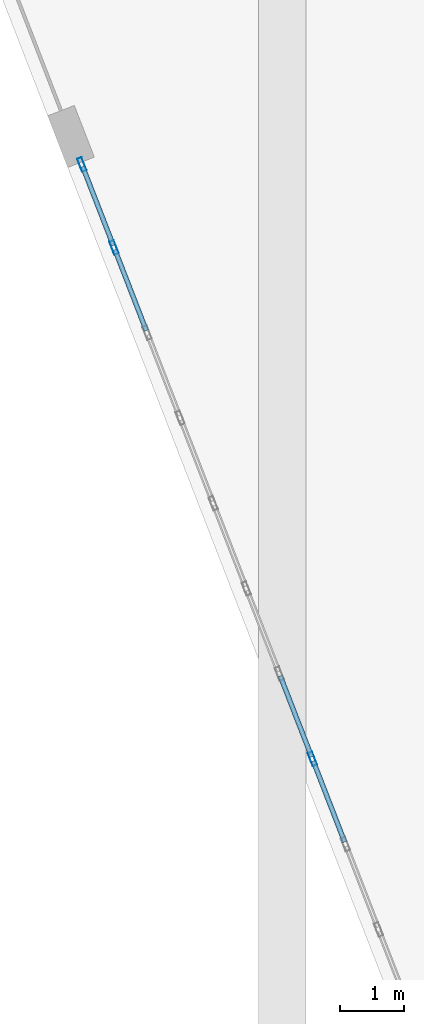
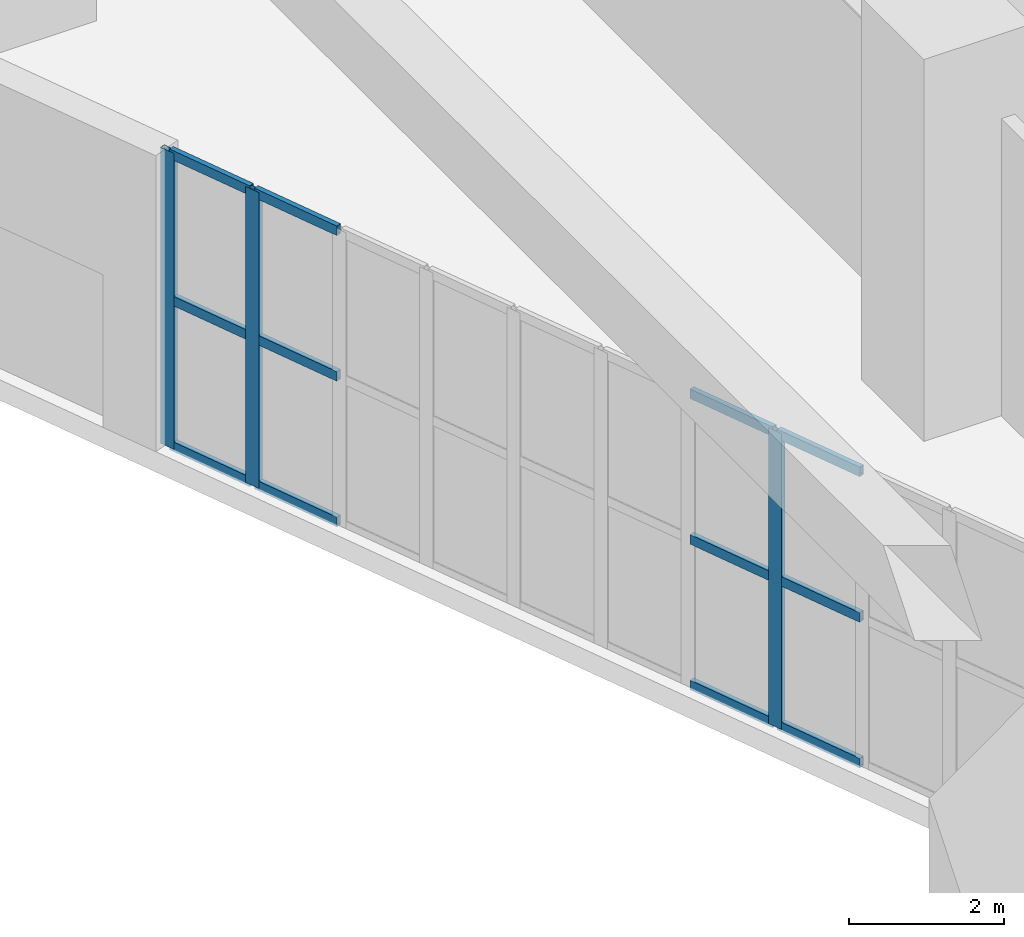
# One storey, part 7 of 35: 15 members, 1 element without a shape of its own.
"""IFC4 building model written with IfcOpenShell, lengths in metres."""

from ifc_helpers import new_model, si_unit, direction, frame, origin, origin_2d, place, context, subcontext, project, spatial, hollow_rectangle, extrude, material, layer, layer_set, material_profile, profile_set, type_object, element, aggregate, save


model = new_model("IFC4")

# Units and contexts
model_context = context("Model", 3, precision=1e-05, world=origin(), true_north=direction((0.0, 1.0)))
body_context = subcontext(model_context, "Body", "Model", "MODEL_VIEW")
ifc_project = project(units=[si_unit("LENGTHUNIT", "METRE"), si_unit("AREAUNIT", "SQUARE_METRE"), si_unit("VOLUMEUNIT", "CUBIC_METRE"), si_unit("PLANEANGLEUNIT", "RADIAN"), si_unit("MASSUNIT", "GRAM", prefix="KILO")], contexts=[model_context])

# Site, building, storey
site_placement = place(None, origin())
site = spatial("IfcSite", under=ifc_project, at=site_placement, CompositionType="ELEMENT")
building_placement = place(site_placement, origin())
building = spatial("IfcBuilding", under=site, at=building_placement, Name="Kilnhurst Terrace Hotel", CompositionType="ELEMENT")
storey_placement = place(building_placement, origin())
storey = spatial("IfcBuildingStorey", under=building, at=storey_placement, Name="L00", CompositionType="ELEMENT", Elevation=0.0)

# Curtain wall, members
ifc_material_1 = material(Name="Anodized Aluminium Alloy 6063-T6 and Low-E Glass", Category="aluminium")
ifc_layer = layer(ifc_material_1, 0.219970703125, Name="Anodized Aluminium Alloy 6063-T6 and Low-E Glass")
ifc_layer_set = layer_set([ifc_layer], Name="Anodized Aluminium Alloy 6063-T6 and Low-E Glass")
curtain_wall_type = type_object("IfcCurtainWallType", Name="CW-POD-LOBBY", PredefinedType="NOTDEFINED", material=ifc_layer_set)
curtain_wall_placement = place(storey_placement, origin())
curtain_wall = element("IfcCurtainWall", 1, at=curtain_wall_placement, inside=storey, type_object=curtain_wall_type, Name="L00 Curtain Wall CW-L00-F6-1", PredefinedType="NOTDEFINED")
ifc_material_2 = material(Name="Extruded Aluminium Alloy 6063-T6", Category="aluminium")
ifc_material_profile_1 = material_profile(ifc_material_2, hollow_rectangle(XDim=0.074951171875, YDim=0.219970703125, WallThickness=0.00390625, at=origin_2d()), Name="CWM75X220")
ifc_profile_set_1 = profile_set([ifc_material_profile_1], Name="Extruded Aluminium Alloy 6063-T6")
member_type_1 = type_object("IfcMemberType", Name="MEM-CWM75X220", PredefinedType="MULLION", material=ifc_profile_set_1)
member_1_placement = place(storey_placement, frame((-30.75244140625, -9.51025390625, 0.0), z_axis=(0.0, 0.0, 1.0), x_axis=(0.932318230572, 0.361638931731, 0.0)))
member_1 = element("IfcMember", 2, at=member_1_placement, type_object=member_type_1, Name="CWL-1 mullion 1", PredefinedType="MULLION", context=body_context, shape_type="SweptSolid", body=[
    extrude(hollow_rectangle(XDim=0.074951171875, YDim=0.219970703125, WallThickness=0.00390625, at=origin_2d()), origin(), (0.0, 0.0, 1.0), 4.64990234375),
])
member_2_placement = place(storey_placement, frame((-30.24560546875, -10.81689453125, 0.0), z_axis=(0.0, 0.0, 1.0), x_axis=(0.932318230572, 0.361638931731, 0.0)))
member_2 = element("IfcMember", 3, at=member_2_placement, type_object=member_type_1, Name="CWL-1 mullion 2", PredefinedType="MULLION", context=body_context, shape_type="SweptSolid", body=[
    extrude(hollow_rectangle(XDim=0.074951171875, YDim=0.219970703125, WallThickness=0.00390625, at=origin_2d()), origin(), (0.0, 0.0, 1.0), 4.64990234375),
])
member_3_placement = place(storey_placement, frame((-27.123046875, -18.866455078125, 0.0), z_axis=(0.0, 0.0, 1.0), x_axis=(0.932318230572, 0.361638931731, 0.0)))
member_3 = element("IfcMember", 4, at=member_3_placement, type_object=member_type_1, Name="CWL-1 mullion 8", PredefinedType="MULLION", context=body_context, shape_type="SweptSolid", body=[
    extrude(hollow_rectangle(XDim=0.074951171875, YDim=0.219970703125, WallThickness=0.00390625, at=origin_2d()), origin(), (0.0, 0.0, 1.0), 4.64990234375),
])
ifc_material_profile_2 = material_profile(ifc_material_2, hollow_rectangle(XDim=0.074951171875, YDim=0.14990234375, WallThickness=0.00390625, at=origin_2d()), Name="CWT75X150")
ifc_profile_set_2 = profile_set([ifc_material_profile_2], Name="Extruded Aluminium Alloy 6063-T6")
member_type_2 = type_object("IfcMemberType", Name="MEM-CWT75X150", PredefinedType="USERDEFINED", material=ifc_profile_set_2)
member_4_placement = place(storey_placement, frame((-30.73876953125, -9.545166015625, 0.03759765625), z_axis=(0.3616911232, -0.932297984229, 0.0), x_axis=(0.932297984229, 0.3616911232, 0.0)))
member_4 = element("IfcMember", 5, at=member_4_placement, type_object=member_type_2, Name="CWL-1 transom 1.1", ObjectType="TRANSOM", PredefinedType="USERDEFINED", context=body_context, shape_type="SweptSolid", body=[
    extrude(hollow_rectangle(XDim=0.074951171875, YDim=0.14990234375, WallThickness=0.00390625, at=origin_2d()), origin(), (0.0, 0.0, 1.0), 1.326416015625),
])
member_5_placement = place(storey_placement, frame((-30.73876953125, -9.545166015625, 2.324951171875), z_axis=(0.3616911232, -0.932297984229, 0.0), x_axis=(0.932297984229, 0.3616911232, 0.0)))
member_5 = element("IfcMember", 6, at=member_5_placement, type_object=member_type_2, Name="CWL-1 transom 1.2", ObjectType="TRANSOM", PredefinedType="USERDEFINED", context=body_context, shape_type="SweptSolid", body=[
    extrude(hollow_rectangle(XDim=0.074951171875, YDim=0.14990234375, WallThickness=0.00390625, at=origin_2d()), origin(), (0.0, 0.0, 1.0), 1.326416015625),
])
member_6_placement = place(storey_placement, frame((-30.73876953125, -9.545166015625, 4.612548828125), z_axis=(0.3616911232, -0.932297984229, 0.0), x_axis=(0.932297984229, 0.3616911232, 0.0)))
member_6 = element("IfcMember", 7, at=member_6_placement, type_object=member_type_2, Name="CWL-1 transom 1.3", ObjectType="TRANSOM", PredefinedType="USERDEFINED", context=body_context, shape_type="SweptSolid", body=[
    extrude(hollow_rectangle(XDim=0.074951171875, YDim=0.14990234375, WallThickness=0.00390625, at=origin_2d()), origin(), (0.0, 0.0, 1.0), 1.326416015625),
])
member_7_placement = place(storey_placement, frame((-30.23193359375, -10.851806640625, 0.03759765625), z_axis=(0.361556432835, -0.932350227048, 0.0), x_axis=(0.932350227048, 0.361556432835, 0.0)))
member_7 = element("IfcMember", 8, at=member_7_placement, type_object=member_type_2, Name="CWL-1 transom 2.1", ObjectType="TRANSOM", PredefinedType="USERDEFINED", context=body_context, shape_type="SweptSolid", body=[
    extrude(hollow_rectangle(XDim=0.074951171875, YDim=0.14990234375, WallThickness=0.00390625, at=origin_2d()), origin(), (0.0, 0.0, 1.0), 1.364013671875),
])
member_8_placement = place(storey_placement, frame((-30.23193359375, -10.851806640625, 2.324951171875), z_axis=(0.361556432835, -0.932350227048, 0.0), x_axis=(0.932350227048, 0.361556432835, 0.0)))
member_8 = element("IfcMember", 9, at=member_8_placement, type_object=member_type_2, Name="CWL-1 transom 2.2", ObjectType="TRANSOM", PredefinedType="USERDEFINED", context=body_context, shape_type="SweptSolid", body=[
    extrude(hollow_rectangle(XDim=0.074951171875, YDim=0.14990234375, WallThickness=0.00390625, at=origin_2d()), origin(), (0.0, 0.0, 1.0), 1.364013671875),
])
member_9_placement = place(storey_placement, frame((-30.23193359375, -10.851806640625, 4.612548828125), z_axis=(0.361556432835, -0.932350227048, 0.0), x_axis=(0.932350227048, 0.361556432835, 0.0)))
member_9 = element("IfcMember", 10, at=member_9_placement, type_object=member_type_2, Name="CWL-1 transom 2.3", ObjectType="TRANSOM", PredefinedType="USERDEFINED", context=body_context, shape_type="SweptSolid", body=[
    extrude(hollow_rectangle(XDim=0.074951171875, YDim=0.14990234375, WallThickness=0.00390625, at=origin_2d()), origin(), (0.0, 0.0, 1.0), 1.364013671875),
])
member_10_placement = place(storey_placement, frame((-27.6298828125, -17.559814453125, 0.03759765625), z_axis=(0.361556432835, -0.932350227048, 0.0), x_axis=(0.932350227048, 0.361556432835, 0.0)))
member_10 = element("IfcMember", 11, at=member_10_placement, type_object=member_type_2, Name="CWL-1 transom 7.1", ObjectType="TRANSOM", PredefinedType="USERDEFINED", context=body_context, shape_type="SweptSolid", body=[
    extrude(hollow_rectangle(XDim=0.074951171875, YDim=0.14990234375, WallThickness=0.00390625, at=origin_2d()), origin(), (0.0, 0.0, 1.0), 1.364013671875),
])
member_11_placement = place(storey_placement, frame((-27.6298828125, -17.559814453125, 2.324951171875), z_axis=(0.361556432835, -0.932350227048, 0.0), x_axis=(0.932350227048, 0.361556432835, 0.0)))
member_11 = element("IfcMember", 12, at=member_11_placement, type_object=member_type_2, Name="CWL-1 transom 7.2", ObjectType="TRANSOM", PredefinedType="USERDEFINED", context=body_context, shape_type="SweptSolid", body=[
    extrude(hollow_rectangle(XDim=0.074951171875, YDim=0.14990234375, WallThickness=0.00390625, at=origin_2d()), origin(), (0.0, 0.0, 1.0), 1.364013671875),
])
member_12_placement = place(storey_placement, frame((-27.6298828125, -17.559814453125, 4.612548828125), z_axis=(0.361556432835, -0.932350227048, 0.0), x_axis=(0.932350227048, 0.361556432835, 0.0)))
member_12 = element("IfcMember", 13, at=member_12_placement, type_object=member_type_2, Name="CWL-1 transom 7.3", ObjectType="TRANSOM", PredefinedType="USERDEFINED", context=body_context, shape_type="SweptSolid", body=[
    extrude(hollow_rectangle(XDim=0.074951171875, YDim=0.14990234375, WallThickness=0.00390625, at=origin_2d()), origin(), (0.0, 0.0, 1.0), 1.364013671875),
])
member_13_placement = place(storey_placement, frame((-27.109619140625, -18.9013671875, 0.03759765625), z_axis=(0.361712008162, -0.932289881502, 0.0), x_axis=(0.932289881502, 0.361712008162, 0.0)))
member_13 = element("IfcMember", 14, at=member_13_placement, type_object=member_type_2, Name="CWL-1 transom 8.1", ObjectType="TRANSOM", PredefinedType="USERDEFINED", context=body_context, shape_type="SweptSolid", body=[
    extrude(hollow_rectangle(XDim=0.074951171875, YDim=0.14990234375, WallThickness=0.00390625, at=origin_2d()), origin(), (0.0, 0.0, 1.0), 1.364013671875),
])
member_14_placement = place(storey_placement, frame((-27.109619140625, -18.9013671875, 2.324951171875), z_axis=(0.361712008162, -0.932289881502, 0.0), x_axis=(0.932289881502, 0.361712008162, 0.0)))
member_14 = element("IfcMember", 15, at=member_14_placement, type_object=member_type_2, Name="CWL-1 transom 8.2", ObjectType="TRANSOM", PredefinedType="USERDEFINED", context=body_context, shape_type="SweptSolid", body=[
    extrude(hollow_rectangle(XDim=0.074951171875, YDim=0.14990234375, WallThickness=0.00390625, at=origin_2d()), origin(), (0.0, 0.0, 1.0), 1.364013671875),
])
member_15_placement = place(storey_placement, frame((-27.109619140625, -18.9013671875, 4.612548828125), z_axis=(0.361712008162, -0.932289881502, 0.0), x_axis=(0.932289881502, 0.361712008162, 0.0)))
member_15 = element("IfcMember", 16, at=member_15_placement, type_object=member_type_2, Name="CWL-1 transom 8.3", ObjectType="TRANSOM", PredefinedType="USERDEFINED", context=body_context, shape_type="SweptSolid", body=[
    extrude(hollow_rectangle(XDim=0.074951171875, YDim=0.14990234375, WallThickness=0.00390625, at=origin_2d()), origin(), (0.0, 0.0, 1.0), 1.364013671875),
])
aggregate(curtain_wall, [member_1, member_2, member_3, member_4, member_5, member_6, member_7, member_8, member_9, member_10, member_11, member_12, member_13, member_14, member_15])

save(model, "model.ifc")
